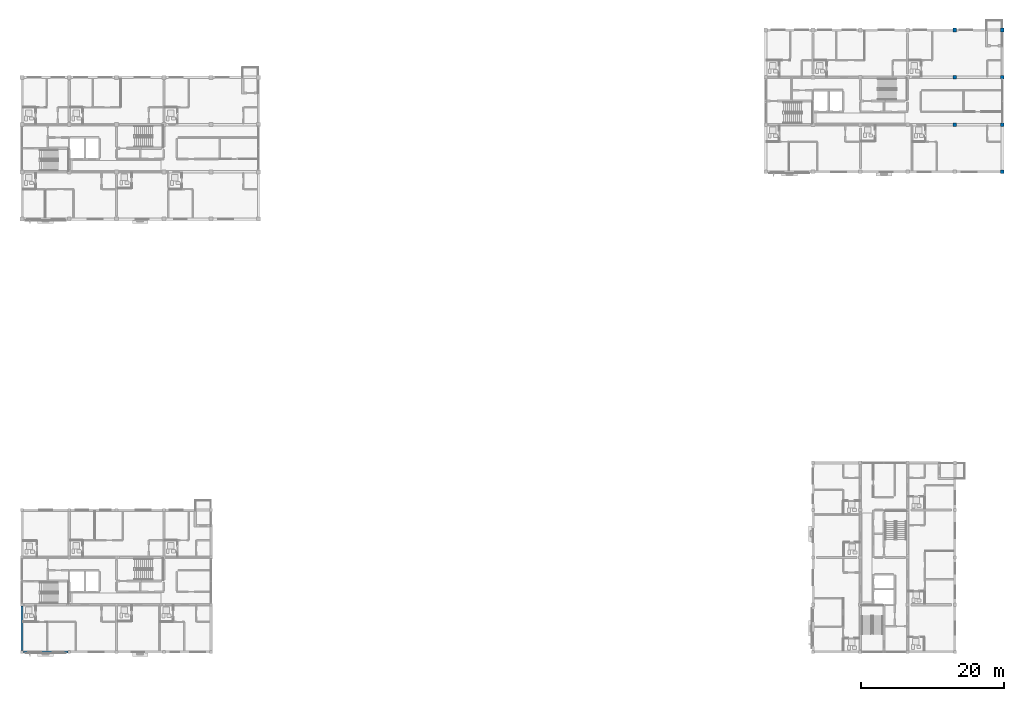
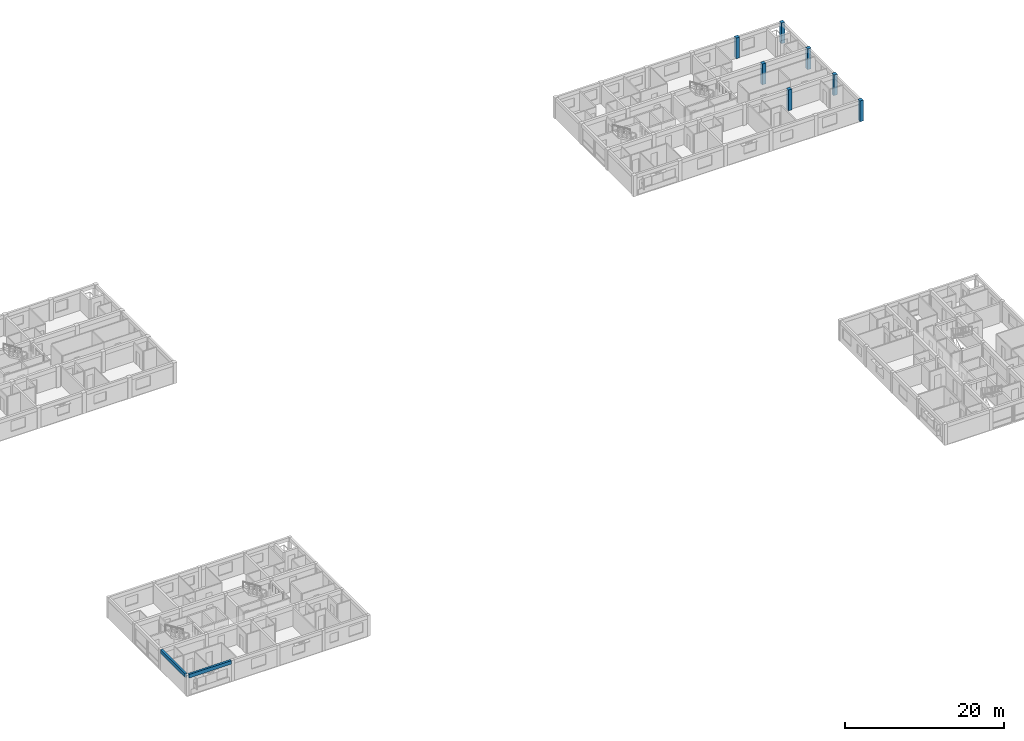
# One storey, part 3 of 53: 7 columns, 2 beams.
"""IFC4 building model written with IfcOpenShell, lengths in metres."""

from ifc_helpers import new_model, si_unit, direction, frame, origin, origin_2d, place, context, subcontext, project, spatial, rectangle, extrude, material, material_profile, profile_set, type_object, element, save


model = new_model("IFC4")

# Units and contexts
model_context = context("Model", 3, precision=1e-05, world=origin(), true_north=direction((0.0, 1.0)))
body_context = subcontext(model_context, "Body", "Model", "MODEL_VIEW")
ifc_project = project(units=[si_unit("LENGTHUNIT", "METRE"), si_unit("AREAUNIT", "SQUARE_METRE"), si_unit("VOLUMEUNIT", "CUBIC_METRE"), si_unit("PLANEANGLEUNIT", "RADIAN"), si_unit("MASSUNIT", "GRAM", prefix="KILO")], contexts=[model_context])

# Site, building, storey
site_placement = place(None, origin())
site = spatial("IfcSite", under=ifc_project, at=site_placement, CompositionType="ELEMENT")
building_placement = place(site_placement, origin())
building = spatial("IfcBuilding", under=site, at=building_placement, Name="Kernevlak Ridge Housing Community", CompositionType="ELEMENT")
storey_placement = place(building_placement, frame((0.0, 0.0, 18.0)))
storey = spatial("IfcBuildingStorey", under=building, at=storey_placement, Name="L05", CompositionType="ELEMENT", Elevation=18.0)

# Columns
ifc_material_1 = material(Name="Concrete C40/50", Category="concrete")
ifc_material_profile_1 = material_profile(ifc_material_1, rectangle(XDim=0.5, YDim=0.5, at=origin_2d()), Name="RC 500x500")
ifc_profile_set_1 = profile_set([ifc_material_profile_1], Name="Concrete C40/50")
column_type = type_object("IfcColumnType", Name="C-03", PredefinedType="COLUMN", material=ifc_profile_set_1)
for number, where, z_axis, x_axis, name in (
    (1, (145.800048828125, 89.199951171875, 0.0), (0.0, 0.0, 1.0), (1.0, 0.0, 0.0), "Column C-03 COL-B-L05-04-1"),
    (2, (145.800048828125, 95.800048828125, 0.0), (0.0, 0.0, 1.0), (1.0, 0.0, 0.0), "Column C-03 COL-B-L05-04-2"),
    (3, (145.800048828125, 102.39990234375, 0.0), (0.0, 0.0, 1.0), (1.0, 0.0, 0.0), "Column C-03 COL-B-L05-04-3"),
    (4, (152.39990234375, 82.60009765625, 0.0), (0.0, 0.0, 1.0), (1.0, 0.0, 0.0), "Column C-03 COL-B-L05-05-0"),
    (5, (152.39990234375, 89.199951171875, 0.0), (0.0, 0.0, 1.0), (1.0, 0.0, 0.0), "Column C-03 COL-B-L05-05-1"),
    (6, (152.39990234375, 95.800048828125, 0.0), (0.0, 0.0, 1.0), (1.0, 0.0, 0.0), "Column C-03 COL-B-L05-05-2"),
    (7, (152.39990234375, 102.39990234375, 0.0), (0.0, 0.0, 1.0), (1.0, 0.0, 0.0), "Column C-03 COL-B-L05-05-3"),
):
    element("IfcColumn", number, at=place(storey_placement, frame(where, z_axis=z_axis, x_axis=x_axis)), inside=storey, type_object=column_type, Name=name, PredefinedType="COLUMN", context=body_context, shape_type="SweptSolid", body=[
        extrude(rectangle(XDim=0.5, YDim=0.5, at=origin_2d()), origin(), (0.0, 0.0, 1.0), 3.199951171875),
    ])

# Beams
ifc_material_2 = material(Name="Concrete C35/45", Category="concrete")
ifc_material_profile_2 = material_profile(ifc_material_2, rectangle(XDim=0.300048828125, YDim=0.550048828125, at=origin_2d()), Name="RC 300x550")
ifc_profile_set_2 = profile_set([ifc_material_profile_2], Name="Concrete C35/45")
beam_type = type_object("IfcBeamType", Name="SP-01", PredefinedType="SPANDREL", material=ifc_profile_set_2)
for number, where, z_axis, x_axis, name in (
    (8, (15.800048828125, 15.60009765625, 2.925048828125), (1.0, 0.0, 0.0), (0.0, 1.0, 0.0), "Beam SP-01 L05 1432"),
    (9, (15.60009765625, 15.800048828125, 2.925048828125), (0.0, 1.0, 0.0), (-1.0, 0.0, 0.0), "Beam SP-01 L05 1448"),
):
    element("IfcBeam", number, at=place(storey_placement, frame(where, z_axis=z_axis, x_axis=x_axis)), inside=storey, type_object=beam_type, Name=name, PredefinedType="SPANDREL", context=body_context, shape_type="SweptSolid", body=[
        extrude(rectangle(XDim=0.300048828125, YDim=0.550048828125, at=origin_2d()), origin(), (0.0, 0.0, 1.0), 6.199951171875),
    ])

save(model, "model.ifc")
